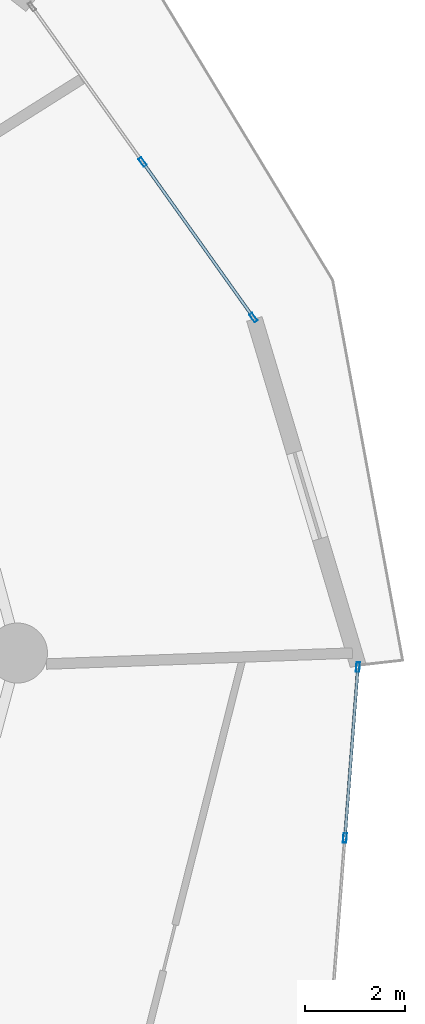
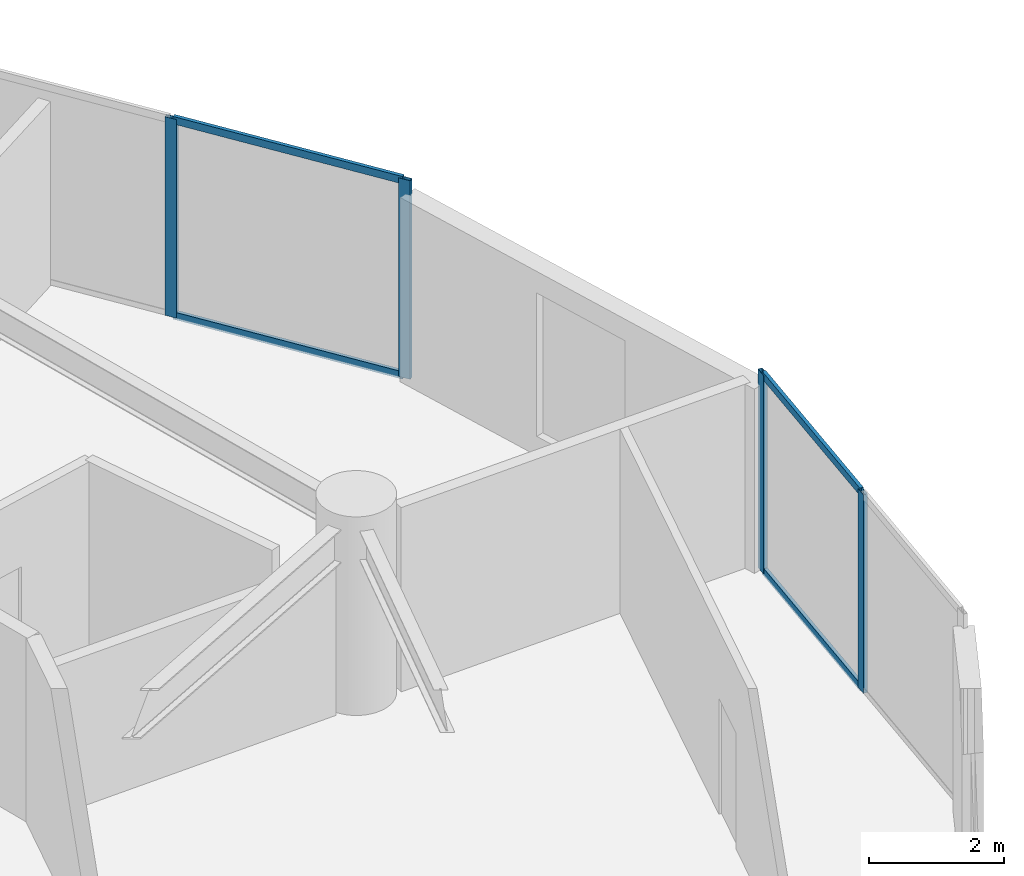
# One storey, part 14 of 25: 8 members, 2 elements without a shape of their own.
"""IFC4 building model written with IfcOpenShell, lengths in metres."""

from ifc_helpers import new_model, si_unit, direction, frame, origin, origin_2d, place, context, subcontext, project, spatial, hollow_rectangle, extrude, source, transform, mapped, material, layer, layer_set, material_profile, profile_set, type_object, element, aggregate, save


model = new_model("IFC4")

# Units and contexts
model_context = context("Model", 3, precision=1e-05, world=origin(), true_north=direction((0.0, 1.0)))
body_context = subcontext(model_context, "Body", "Model", "MODEL_VIEW")
ifc_project = project(units=[si_unit("LENGTHUNIT", "METRE"), si_unit("AREAUNIT", "SQUARE_METRE"), si_unit("VOLUMEUNIT", "CUBIC_METRE"), si_unit("PLANEANGLEUNIT", "RADIAN"), si_unit("MASSUNIT", "GRAM", prefix="KILO")], contexts=[model_context])

# Site, building, storey
site_placement = place(None, origin())
site = spatial("IfcSite", under=ifc_project, at=site_placement, CompositionType="ELEMENT")
building_placement = place(site_placement, origin())
building = spatial("IfcBuilding", under=site, at=building_placement, Name="Solvirekh Grand Hotel", CompositionType="ELEMENT")
storey_placement = place(building_placement, frame((0.0, 0.0, 60.800048828125)))
storey = spatial("IfcBuildingStorey", under=building, at=storey_placement, Name="L14", CompositionType="ELEMENT", Elevation=60.800048828125)

# Curtain wall, members
ifc_material = material(Name="Anodized Bronze Aluminium 6063-T6", Category="aluminium")
ifc_layer = layer(ifc_material, 0.18994140625)
ifc_layer_set = layer_set([ifc_layer], Name="Anodized Bronze Aluminium 6063-T6")
curtain_wall_type = type_object("IfcCurtainWallType", Name="CW_Sys2_LowZoneFlushBronzeCW", PredefinedType="NOTDEFINED", material=ifc_layer_set)
curtain_wall_1_placement = place(storey_placement, origin())
curtain_wall_1 = element("IfcCurtainWall", 1, at=curtain_wall_1_placement, inside=storey, type_object=curtain_wall_type, Name="L14 unitised bronze-glass curtain wall CW-L14-C03", PredefinedType="NOTDEFINED")
ifc_material_profile_1 = material_profile(ifc_material, hollow_rectangle(XDim=0.06005859375, YDim=0.135009765625, WallThickness=0.00390625, at=origin_2d()), Name="ALU RHS 135X60X4")
ifc_profile_set_1 = profile_set([ifc_material_profile_1], Name="Anodized Bronze Aluminium 6063-T6")
member_type_1 = type_object("IfcMemberType", Name="CWTransom_Sys2", PredefinedType="USERDEFINED", material=ifc_profile_set_1)
shared_shape_1 = source(origin(), body_context, "Body", "SweptSolid", [
    extrude(hollow_rectangle(XDim=0.06005859375, YDim=0.135009765625, WallThickness=0.00390625, at=origin_2d()), origin(), (0.0, 0.0, 1.0), 3.74755859375),
])
member_1_placement = place(storey_placement, frame((23.29736328125, 6.739990234375, 0.030029296875), z_axis=(-0.580128404725, 0.814525035853, 0.0), x_axis=(-0.814525035853, -0.580128404725, 0.0)))
member_1 = element("IfcMember", 2, at=member_1_placement, type_object=member_type_1, Name="U02 transom 1.1", ObjectType="TRANSOM", PredefinedType="USERDEFINED", context=body_context, shape_type="MappedRepresentation", body=[
    mapped(shared_shape_1, transform((0.0, 0.0, 0.0), x_axis=(1.0, 0.0, 0.0), y_axis=(0.0, 1.0, 0.0), z_axis=(0.0, 0.0, 1.0), scale=1.0)),
])
member_2_placement = place(storey_placement, frame((23.29736328125, 6.739990234375, 3.570068359375), z_axis=(-0.580128404725, 0.814525035853, 0.0), x_axis=(-0.814525035853, -0.580128404725, 0.0)))
member_2 = element("IfcMember", 3, at=member_2_placement, type_object=member_type_1, Name="U02 transom 1.2", ObjectType="TRANSOM", PredefinedType="USERDEFINED", context=body_context, shape_type="MappedRepresentation", body=[
    mapped(shared_shape_1, transform((0.0, 0.0, 0.0), x_axis=(1.0, 0.0, 0.0), y_axis=(0.0, 1.0, 0.0), z_axis=(0.0, 0.0, 1.0), scale=1.0)),
])

curtain_wall_2_placement = place(storey_placement, origin())
curtain_wall_2 = element("IfcCurtainWall", 4, at=curtain_wall_2_placement, inside=storey, type_object=curtain_wall_type, Name="L14 unitised bronze-glass curtain wall CW-L14-C01", PredefinedType="NOTDEFINED")
ifc_material_profile_2 = material_profile(ifc_material, hollow_rectangle(XDim=0.070068359375, YDim=0.18994140625, WallThickness=0.0048828125, at=origin_2d()), Name="ALU RHS 190X70X5")
ifc_profile_set_2 = profile_set([ifc_material_profile_2], Name="Anodized Bronze Aluminium 6063-T6")
member_type_2 = type_object("IfcMemberType", Name="CWMullion_Sys2", PredefinedType="MULLION", material=ifc_profile_set_2)
shared_shape_2 = source(origin(), body_context, "Body", "SweptSolid", [
    extrude(hollow_rectangle(XDim=0.070068359375, YDim=0.18994140625, WallThickness=0.0048828125, at=origin_2d()), origin(), (0.0, 0.0, 1.0), 3.599853515625),
])
member_3_placement = place(storey_placement, frame((25.14892578125, -3.698974609375, 0.0), z_axis=(0.0, 0.0, 1.0), x_axis=(-0.997111956194, 0.075945683315, 0.0)))
member_3 = element("IfcMember", 5, at=member_3_placement, type_object=member_type_2, Name="U02 mullion 2", PredefinedType="MULLION", context=body_context, shape_type="MappedRepresentation", body=[
    mapped(shared_shape_2, transform((0.0, 0.0, 0.0), x_axis=(1.0, 0.0, 0.0), y_axis=(0.0, 1.0, 0.0), z_axis=(0.0, 0.0, 1.0), scale=1.0)),
])
member_4_placement = place(storey_placement, frame((25.409423828125, -0.281005859375, 0.0), z_axis=(0.0, 0.0, 1.0), x_axis=(-0.997111956194, 0.075945683315, 0.0)))
member_4 = element("IfcMember", 6, at=member_4_placement, type_object=member_type_2, Name="U02 mullion 3", PredefinedType="MULLION", context=body_context, shape_type="MappedRepresentation", body=[
    mapped(shared_shape_2, transform((0.0, 0.0, 0.0), x_axis=(1.0, 0.0, 0.0), y_axis=(0.0, 1.0, 0.0), z_axis=(0.0, 0.0, 1.0), scale=1.0)),
])

# Member
member_5_placement = place(storey_placement, frame((23.317626953125, 6.71142578125, 0.0), z_axis=(0.0, 0.0, 1.0), x_axis=(-0.814521945724, -0.580132743373, 0.0)))
member_5 = element("IfcMember", 7, at=member_5_placement, type_object=member_type_2, Name="U02 mullion 1", PredefinedType="MULLION", context=body_context, shape_type="MappedRepresentation", body=[
    mapped(shared_shape_2, transform((0.0, 0.0, 0.0), x_axis=(1.0, 0.0, 0.0), y_axis=(0.0, 1.0, 0.0), z_axis=(0.0, 0.0, 1.0), scale=1.0)),
])

member_6_placement = place(storey_placement, frame((21.10302734375, 9.821044921875, 0.0), z_axis=(0.0, 0.0, 1.0), x_axis=(-0.814521945724, -0.580132743373, 0.0)))
member_6 = element("IfcMember", 8, at=member_6_placement, type_object=member_type_2, Name="U02 mullion 2", PredefinedType="MULLION", context=body_context, shape_type="MappedRepresentation", body=[
    mapped(shared_shape_2, transform((0.0, 0.0, 0.0), x_axis=(1.0, 0.0, 0.0), y_axis=(0.0, 1.0, 0.0), z_axis=(0.0, 0.0, 1.0), scale=1.0)),
])

aggregate(curtain_wall_1, [member_5, member_6, member_1, member_2])

shared_shape_3 = source(origin(), body_context, "Body", "SweptSolid", [
    extrude(hollow_rectangle(XDim=0.06005859375, YDim=0.135009765625, WallThickness=0.00390625, at=origin_2d()), origin(), (0.0, 0.0, 1.0), 3.35791015625),
])
member_7_placement = place(storey_placement, frame((25.151611328125, -3.6640625, 0.030029296875), z_axis=(0.075979241841, 0.997109399619, 0.0), x_axis=(-0.997109399619, 0.075979241841, 0.0)))
member_7 = element("IfcMember", 9, at=member_7_placement, type_object=member_type_1, Name="U02 transom 2.1", ObjectType="TRANSOM", PredefinedType="USERDEFINED", context=body_context, shape_type="MappedRepresentation", body=[
    mapped(shared_shape_3, transform((0.0, 0.0, 0.0), x_axis=(1.0, 0.0, 0.0), y_axis=(0.0, 1.0, 0.0), z_axis=(0.0, 0.0, 1.0), scale=1.0)),
])

member_8_placement = place(storey_placement, frame((25.151611328125, -3.6640625, 3.570068359375), z_axis=(0.075979241841, 0.997109399619, 0.0), x_axis=(-0.997109399619, 0.075979241841, 0.0)))
member_8 = element("IfcMember", 10, at=member_8_placement, type_object=member_type_1, Name="U02 transom 2.2", ObjectType="TRANSOM", PredefinedType="USERDEFINED", context=body_context, shape_type="MappedRepresentation", body=[
    mapped(shared_shape_3, transform((0.0, 0.0, 0.0), x_axis=(1.0, 0.0, 0.0), y_axis=(0.0, 1.0, 0.0), z_axis=(0.0, 0.0, 1.0), scale=1.0)),
])

aggregate(curtain_wall_2, [member_3, member_4, member_7, member_8])

save(model, "model.ifc")
